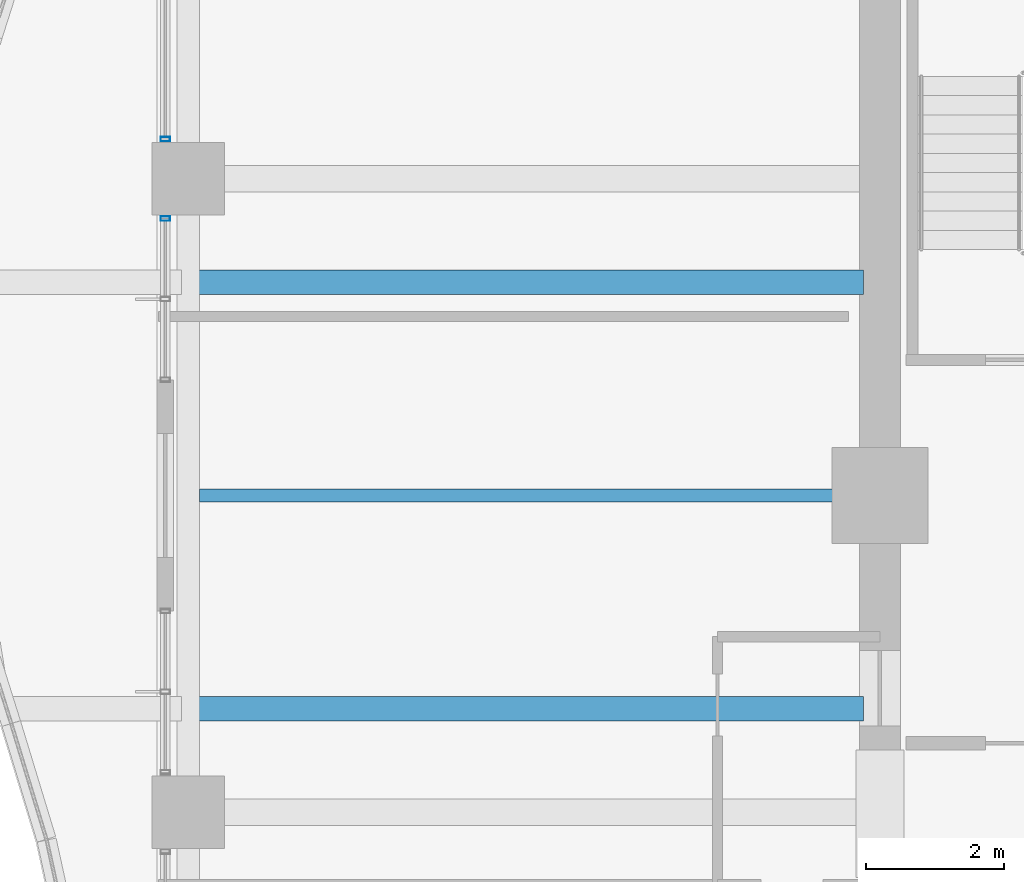
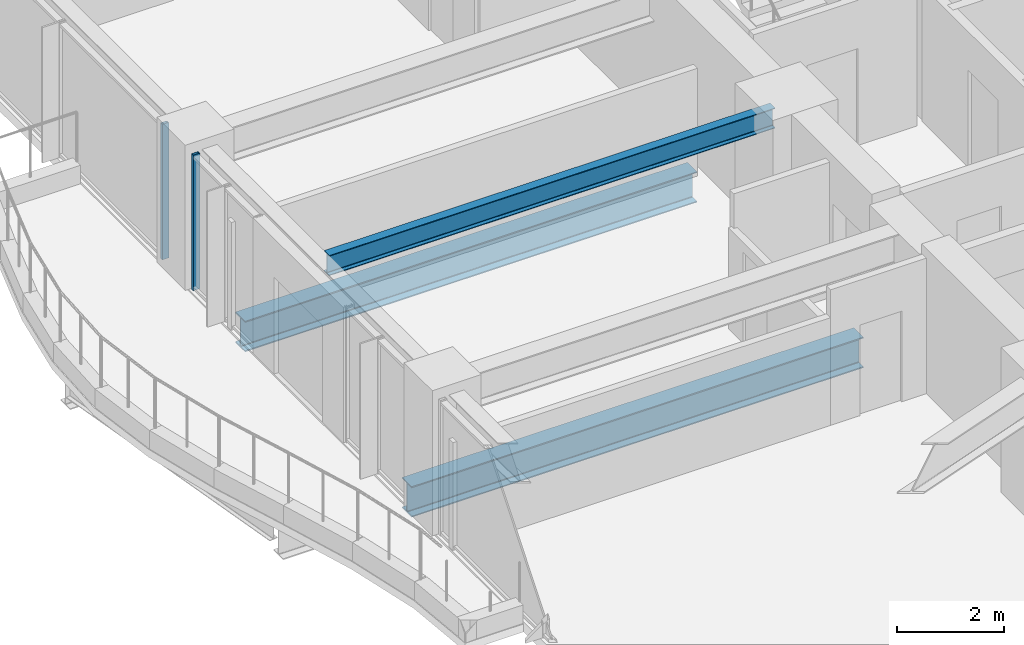
# One storey, part 9 of 36: 3 beams, 2 members, 2 elements without a shape of their own.
"""IFC4 building model written with IfcOpenShell, lengths in metres."""

from ifc_helpers import new_model, si_unit, direction, frame, origin, origin_2d, place, context, subcontext, project, spatial, hollow_rectangle, i_section, extrude, material, material_profile, profile_set, type_object, element, aggregate, save


model = new_model("IFC4")

# Units and contexts
model_context = context("Model", 3, precision=1e-05, world=origin(), true_north=direction((0.0, 1.0)))
body_context = subcontext(model_context, "Body", "Model", "MODEL_VIEW")
ifc_project = project(units=[si_unit("LENGTHUNIT", "METRE"), si_unit("AREAUNIT", "SQUARE_METRE"), si_unit("VOLUMEUNIT", "CUBIC_METRE"), si_unit("PLANEANGLEUNIT", "RADIAN"), si_unit("MASSUNIT", "GRAM", prefix="KILO")], contexts=[model_context])

# Site, building, storey
site_placement = place(None, origin())
site = spatial("IfcSite", under=ifc_project, at=site_placement, CompositionType="ELEMENT")
building_placement = place(site_placement, origin())
building = spatial("IfcBuilding", under=site, at=building_placement, Name="Kolvaren Belvedere", CompositionType="ELEMENT")
storey_placement = place(building_placement, frame((0.0, 0.0, 95.300048828125)))
storey = spatial("IfcBuildingStorey", under=building, at=storey_placement, Name="L27", CompositionType="ELEMENT", Elevation=95.300048828125)

# Beams
ifc_material_1 = material(Name="Structural steel ASTM A992 Grade 50", Category="steel")
ifc_material_profile_1 = material_profile(ifc_material_1, i_section(OverallWidth=0.35498046875, OverallDepth=0.696044921875, WebThickness=0.015380859375, FlangeThickness=0.02490234375, FilletRadius=0.02197265625, at=origin_2d()), Name="W27X146")
ifc_profile_set_1 = profile_set([ifc_material_profile_1], Name="Structural steel ASTM A992 Grade 50")
beam_type_1 = type_object("IfcBeamType", Name="BM-GIRD-W27X146", PredefinedType="BEAM", material=ifc_profile_set_1)
for number, where, z_axis, x_axis, name in (
    (1, (-10.139892578125, -3.10009765625, -0.568115234375), (-1.0, 0.0, 0.0), (0.0, -1.0, 0.0), "L27 Balcony Interior Back-Span Girder BAL-W-1"),
    (2, (-10.139892578125, 3.10009765625, -0.568115234375), (-1.0, 0.0, 0.0), (0.0, -1.0, 0.0), "L27 Balcony Interior Back-Span Girder BAL-W-2"),
):
    element("IfcBeam", number, at=place(storey_placement, frame(where, z_axis=z_axis, x_axis=x_axis)), inside=storey, type_object=beam_type_1, Name=name, PredefinedType="BEAM", context=body_context, shape_type="SweptSolid", body=[
        extrude(i_section(OverallWidth=0.35498046875, OverallDepth=0.696044921875, WebThickness=0.015380859375, FlangeThickness=0.02490234375, FilletRadius=0.02197265625, at=origin_2d()), origin(), (0.0, 0.0, 1.0), 9.715087890625),
    ])
ifc_material_2 = material(Name="Structural steel ASTM A992 Grade 50", Category="steel")
ifc_material_profile_2 = material_profile(ifc_material_2, i_section(OverallWidth=0.19091796875, OverallDepth=0.4599609375, WebThickness=0.010009765625, FlangeThickness=0.01611328125, FilletRadius=0.014892578125, at=origin_2d()), Name="W18X55")
ifc_profile_set_2 = profile_set([ifc_material_profile_2], Name="Structural steel ASTM A992 Grade 50")
beam_type_2 = type_object("IfcBeamType", Name="BM-JOIST-W18X55", PredefinedType="BEAM", material=ifc_profile_set_2)
beam_placement = place(storey_placement, frame((-10.199951171875, 0.0, 2.849853515625), z_axis=(-1.0, 0.0, 0.0), x_axis=(0.0, -1.0, 0.0)))
element("IfcBeam", 3, at=beam_placement, inside=storey, type_object=beam_type_2, Name="L27 West Centre Floor Beam", PredefinedType="BEAM", context=body_context, shape_type="SweptSolid", body=[
    extrude(i_section(OverallWidth=0.19091796875, OverallDepth=0.4599609375, WebThickness=0.010009765625, FlangeThickness=0.01611328125, FilletRadius=0.014892578125, at=origin_2d()), origin(), (0.0, 0.0, 1.0), 9.587646484375),
])

# Curtain wall, member
ifc_material_3 = material(Name="Anodised pale-metal aluminium AA 6063-T6", Category="aluminium")
curtain_wall_type = type_object("IfcCurtainWallType", Name="CW-Z2-MID", PredefinedType="NOTDEFINED", material=ifc_material_3)
curtain_wall_1_placement = place(storey_placement, origin())
curtain_wall_1 = element("IfcCurtainWall", 4, at=curtain_wall_1_placement, inside=storey, type_object=curtain_wall_type, Name="L27 Unitised Curtain Wall FCW-L27-W2-B1", PredefinedType="NOTDEFINED")
ifc_material_4 = material(Name="Anodised pale-metal aluminium AA 6063-T6", Category="aluminium")
ifc_material_profile_3 = material_profile(ifc_material_4, hollow_rectangle(XDim=0.06494140625, YDim=0.139892578125, WallThickness=0.00390625, at=origin_2d()), Name="ALU-MUL-140X65")
ifc_profile_set_3 = profile_set([ifc_material_profile_3], Name="Anodised pale-metal aluminium AA 6063-T6")
member_type = type_object("IfcMemberType", Name="CW-MUL-140", PredefinedType="MULLION", material=ifc_profile_set_3)
member_1_placement = place(storey_placement, frame((-20.280029296875, 4.0224609375, 0.0), z_axis=(0.0, 0.0, 1.0), x_axis=(0.0, 1.0, 0.0)))
member_1 = element("IfcMember", 5, at=member_1_placement, type_object=member_type, Name="FCW-L27-W2-B1 Unitised Mullion 3", PredefinedType="MULLION", context=body_context, shape_type="SweptSolid", body=[
    extrude(hollow_rectangle(XDim=0.06494140625, YDim=0.139892578125, WallThickness=0.00390625, at=origin_2d()), origin(), (0.0, 0.0, 1.0), 3.079833984375),
])
aggregate(curtain_wall_1, [member_1])

curtain_wall_2_placement = place(storey_placement, origin())
curtain_wall_2 = element("IfcCurtainWall", 6, at=curtain_wall_2_placement, inside=storey, type_object=curtain_wall_type, Name="L27 Unitised Curtain Wall FCW-L27-W2-B2", PredefinedType="NOTDEFINED")
member_2_placement = place(storey_placement, frame((-20.280029296875, 5.177490234375, 0.0), z_axis=(0.0, 0.0, 1.0), x_axis=(0.0, 1.0, 0.0)))
member_2 = element("IfcMember", 7, at=member_2_placement, type_object=member_type, Name="FCW-L27-W2-B2 Unitised Mullion 1", PredefinedType="MULLION", context=body_context, shape_type="SweptSolid", body=[
    extrude(hollow_rectangle(XDim=0.06494140625, YDim=0.139892578125, WallThickness=0.00390625, at=origin_2d()), origin(), (0.0, 0.0, 1.0), 3.079833984375),
])
aggregate(curtain_wall_2, [member_2])

save(model, "model.ifc")
